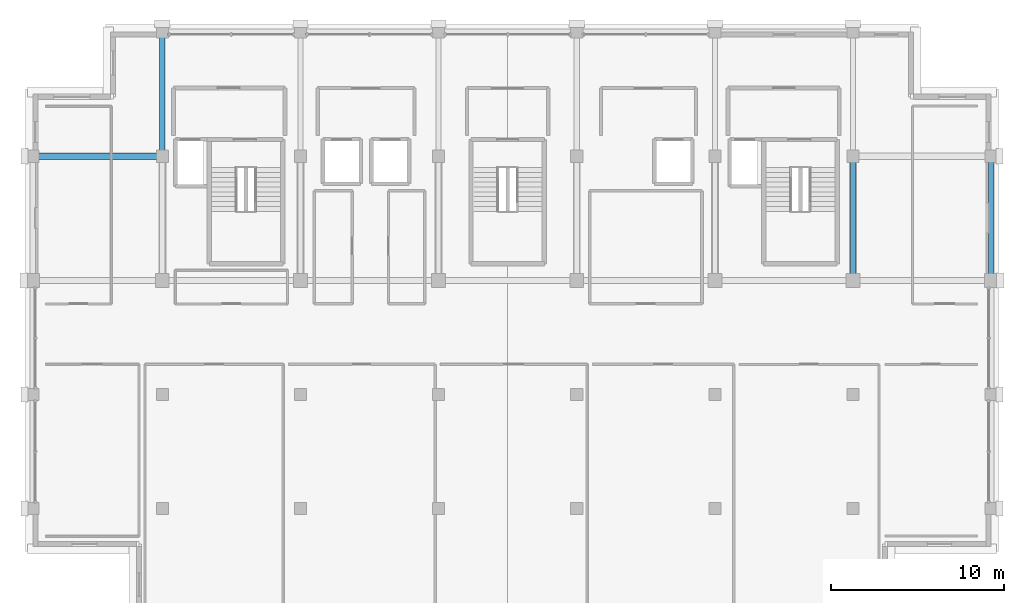
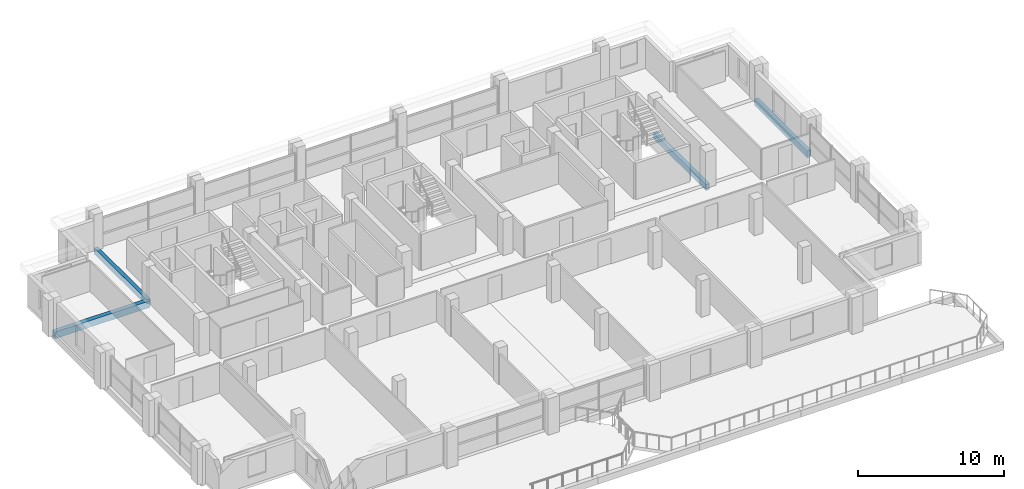
# One storey, part 10 of 21: 4 beams.
"""IFC4 building model written with IfcOpenShell, lengths in metres."""

from ifc_helpers import new_model, si_unit, direction, frame, origin, origin_2d, place, context, subcontext, project, spatial, rectangle, extrude, material, material_profile, profile_set, type_object, element, save


model = new_model("IFC4")

# Units and contexts
model_context = context("Model", 3, precision=1e-05, world=origin(), true_north=direction((0.0, 1.0)))
body_context = subcontext(model_context, "Body", "Model", "MODEL_VIEW")
ifc_project = project(units=[si_unit("LENGTHUNIT", "METRE"), si_unit("AREAUNIT", "SQUARE_METRE"), si_unit("VOLUMEUNIT", "CUBIC_METRE"), si_unit("PLANEANGLEUNIT", "RADIAN"), si_unit("MASSUNIT", "GRAM", prefix="KILO")], contexts=[model_context])

# Site, building, storey
site_placement = place(None, origin())
site = spatial("IfcSite", under=ifc_project, at=site_placement, CompositionType="ELEMENT")
building_placement = place(site_placement, origin())
building = spatial("IfcBuilding", under=site, at=building_placement, Name="Akrevak Sports Hall", CompositionType="ELEMENT")
storey_placement = place(building_placement, frame((0.0, 0.0, 53.550048828125)))
storey = spatial("IfcBuildingStorey", under=building, at=storey_placement, Name="L13", CompositionType="ELEMENT", Elevation=53.550048828125)

# Beams
ifc_material = material(Name="Concrete C40/50", Category="concrete")
ifc_material_profile_1 = material_profile(ifc_material, rectangle(XDim=0.300048828125, YDim=0.5, at=origin_2d()), Name="BM 300x500", Category="concrete")
ifc_profile_set_1 = profile_set([ifc_material_profile_1], Name="Concrete C40/50")
beam_type_1 = type_object("IfcBeamType", Name="STR-BM-RC300x500", PredefinedType="BEAM", material=ifc_profile_set_1)
beam_1_placement = place(storey_placement, frame((60.0, 62.39990234375, -0.25), z_axis=(0.0, 1.0, 0.0), x_axis=(-1.0, 0.0, 0.0)))
element("IfcBeam", 1, at=beam_1_placement, inside=storey, type_object=beam_type_1, Name="Girder 9/J-K (L13)", PredefinedType="BEAM", context=body_context, shape_type="SweptSolid", body=[
    extrude(rectangle(XDim=0.300048828125, YDim=0.5, at=origin_2d()), origin(), (0.0, 0.0, 1.0), 7.2001953125),
])
beam_2_placement = place(storey_placement, frame((100.0, 55.199951171875, -0.25), z_axis=(0.0, 1.0, 0.0), x_axis=(-1.0, 0.0, 0.0)))
element("IfcBeam", 2, at=beam_2_placement, inside=storey, type_object=beam_type_1, Name="Girder 14/I-J (L13)", PredefinedType="BEAM", context=body_context, shape_type="SweptSolid", body=[
    extrude(rectangle(XDim=0.300048828125, YDim=0.5, at=origin_2d()), origin(), (0.0, 0.0, 1.0), 7.199951171875),
])
ifc_material_profile_2 = material_profile(ifc_material, rectangle(XDim=0.300048828125, YDim=0.550048828125, at=origin_2d()), Name="BM 300x550", Category="concrete")
ifc_profile_set_2 = profile_set([ifc_material_profile_2], Name="Concrete C40/50")
beam_type_2 = type_object("IfcBeamType", Name="STR-BM-RC300x550", PredefinedType="BEAM", material=ifc_profile_set_2)
beam_3_placement = place(storey_placement, frame((108.0, 55.199951171875, -0.275146484375), z_axis=(0.0, 1.0, 0.0), x_axis=(-1.0, 0.0, 0.0)))
element("IfcBeam", 3, at=beam_3_placement, inside=storey, type_object=beam_type_2, Name="Girder 15/I-J (L13)", PredefinedType="BEAM", context=body_context, shape_type="SweptSolid", body=[
    extrude(rectangle(XDim=0.300048828125, YDim=0.550048828125, at=origin_2d()), origin(), (0.0, 0.0, 1.0), 7.199951171875),
])
ifc_material_profile_3 = material_profile(ifc_material, rectangle(XDim=0.35009765625, YDim=0.550048828125, at=origin_2d()), Name="BM 350x550", Category="concrete")
ifc_profile_set_3 = profile_set([ifc_material_profile_3], Name="Concrete C40/50")
beam_type_3 = type_object("IfcBeamType", Name="STR-BM-RC350x550", PredefinedType="BEAM", material=ifc_profile_set_3)
beam_4_placement = place(storey_placement, frame((52.5, 62.39990234375, -0.275146484375), z_axis=(1.0, 0.0, 0.0), x_axis=(0.0, 1.0, 0.0)))
element("IfcBeam", 4, at=beam_4_placement, inside=storey, type_object=beam_type_3, Name="Girder J/8-9 (L13)", PredefinedType="BEAM", context=body_context, shape_type="SweptSolid", body=[
    extrude(rectangle(XDim=0.35009765625, YDim=0.550048828125, at=origin_2d()), origin(), (0.0, 0.0, 1.0), 7.5),
])

save(model, "model.ifc")
